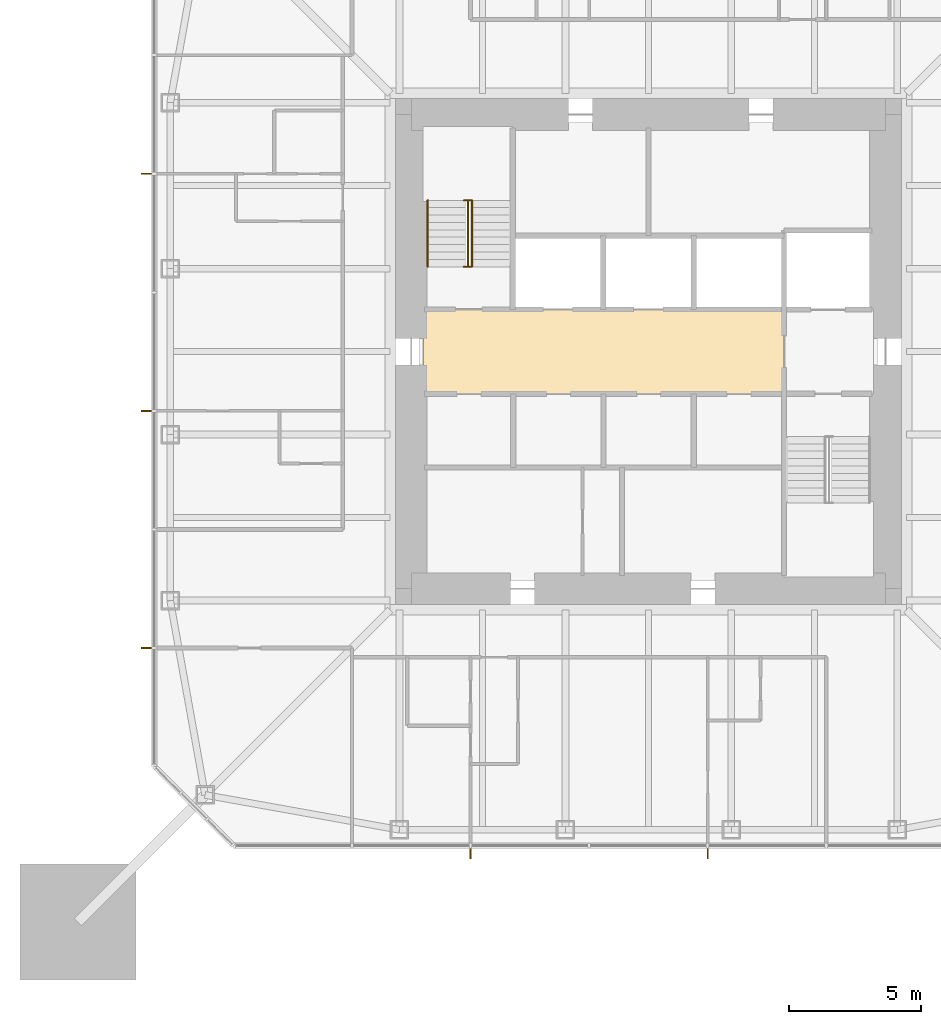
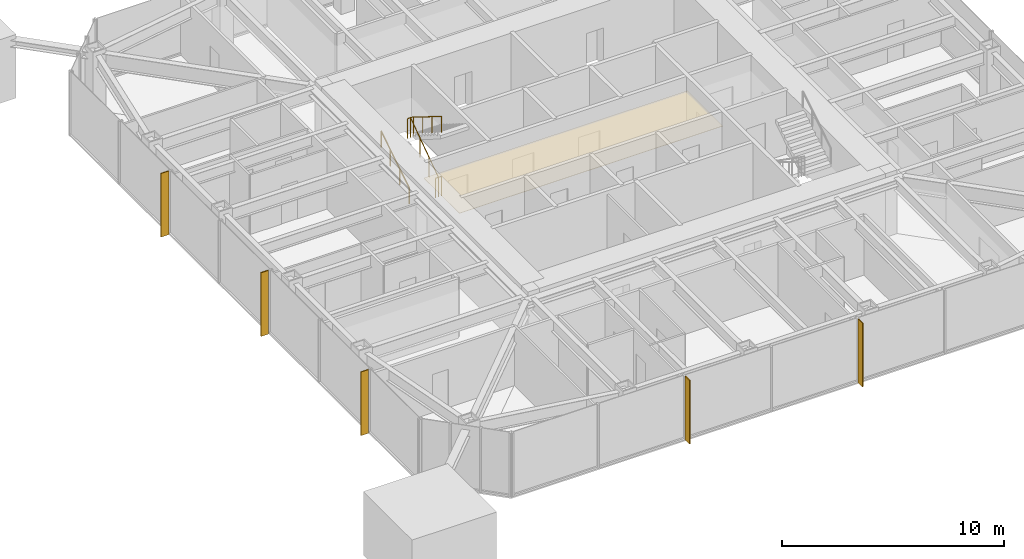
# One storey, part 9 of 11: 5 shading devices, 3 railings, 1 covering.
"""IFC4 building model written with IfcOpenShell, lengths in metres."""

from ifc_helpers import new_model, si_unit, direction, frame, origin, origin_2d, place, context, subcontext, project, spatial, polyline, rectangle, circle, outline, extrude, material, layer, layer_set, constituent, constituent_set, type_object, element, save


model = new_model("IFC4")

# Units and contexts
model_context = context("Model", 3, precision=1e-05, world=origin(), true_north=direction((0.0, 1.0)))
body_context = subcontext(model_context, "Body", "Model", "MODEL_VIEW")
ifc_project = project(units=[si_unit("LENGTHUNIT", "METRE"), si_unit("AREAUNIT", "SQUARE_METRE"), si_unit("VOLUMEUNIT", "CUBIC_METRE"), si_unit("PLANEANGLEUNIT", "RADIAN"), si_unit("MASSUNIT", "GRAM", prefix="KILO")], contexts=[model_context])

# Site, building, storey
site_placement = place(None, origin())
site = spatial("IfcSite", under=ifc_project, at=site_placement, CompositionType="ELEMENT")
building_placement = place(site_placement, origin())
building = spatial("IfcBuilding", under=site, at=building_placement, Name="Iwan Alto Co-Living Towers", CompositionType="ELEMENT")
storey_placement = place(building_placement, frame((0.0, 0.0, 177.5)))
storey = spatial("IfcBuildingStorey", under=building, at=storey_placement, Name="L48", CompositionType="ELEMENT", Elevation=177.5)

# Covering
ifc_material_1 = material(Name="Mineral fibre acoustic tiles on steel grid", Category="steel")
ifc_layer_1 = layer(ifc_material_1, 0.02001953125)
ifc_layer_set_1 = layer_set([ifc_layer_1], Name="ACOUSTIC TILE CEILING 20")
covering_type = type_object("IfcCoveringType", Name="ACOUSTIC TILE CEILING 20", PredefinedType="CEILING", material=ifc_layer_set_1)
covering_placement = place(storey_placement, frame((0.0, 0.0, 2.60009765625)))
element("IfcCovering", 1, at=covering_placement, inside=storey, type_object=covering_type, Name="Ceiling Lift lobby L48", PredefinedType="CEILING", context=body_context, shape_type="SweptSolid", body=[
    extrude(outline(polyline([(-8.550048828125, -1.60009765625), (-8.550048828125, 1.60009765625), (5.14990234375, 1.60009765625), (5.14990234375, -1.60009765625), (-8.550048828125, -1.60009765625)])), origin(), (0.0, 0.0, 1.0), 0.02001953125),
])

# Shading devices
ifc_material_2 = material(Name="Aluminium 6063-T6 bronze anodised", Category="aluminium")
ifc_layer_2 = layer(ifc_material_2, 0.050048828125)
ifc_layer_set_2 = layer_set([ifc_layer_2], Name="BRONZE FIN 50X400")
shading_device_type = type_object("IfcShadingDeviceType", Name="BRONZE FIN 50X400", PredefinedType="USERDEFINED", material=ifc_layer_set_2)
for number, where, z_axis, x_axis, name in (
    (2, (-6.75, -19.050048828125, 0.0), (0.0, 0.0, 1.0), (1.0, 0.0, 0.0), "Bronze fin L48"),
    (3, (2.25, -19.050048828125, 0.0), (0.0, 0.0, 1.0), (1.0, 0.0, 0.0), "Bronze fin L48"),
    (4, (-19.050048828125, 6.75, 0.0), (0.0, 0.0, 1.0), (0.0, -1.0, 0.0), "Bronze fin L48"),
    (5, (-19.050048828125, -2.25, 0.0), (0.0, 0.0, 1.0), (0.0, -1.0, 0.0), "Bronze fin L48"),
    (6, (-19.050048828125, -11.25, 0.0), (0.0, 0.0, 1.0), (0.0, -1.0, 0.0), "Bronze fin L48"),
):
    element("IfcShadingDevice", number, at=place(storey_placement, frame(where, z_axis=z_axis, x_axis=x_axis)), inside=storey, type_object=shading_device_type, Name=name, ObjectType="LOUVER", PredefinedType="USERDEFINED", context=body_context, shape_type="SweptSolid", body=[
        extrude(rectangle(XDim=0.050048828125, YDim=0.39990234375, at=origin_2d()), origin(), (0.0, 0.0, 1.0), 3.5),
    ])

# Railings
ifc_material_3 = material(Name="Steel ASTM A500 Gr C", Category="steel")
ifc_constituent_1 = constituent(ifc_material_3, Name="Rails and posts", Category="Framing")
ifc_material_4 = material(Name="Steel ASTM A36", Category="steel")
ifc_constituent_2 = constituent(ifc_material_4, Name="Bar infill", Category="Infill")
ifc_constituent_set = constituent_set(constituents=[ifc_constituent_1, ifc_constituent_2], Name="STAIR GUARD 1100")
railing_type_1 = type_object("IfcRailingType", Name="STAIR GUARD 1100", PredefinedType="GUARDRAIL", material=ifc_constituent_set)
railing_1_placement = place(storey_placement, frame((-6.85009765625, 3.219970703125, 0.0)))
element("IfcRailing", 7, at=railing_1_placement, inside=storey, type_object=railing_type_1, Name="Stair T1-S1 well guard L48", PredefinedType="GUARDRAIL", context=body_context, shape_type="SweptSolid", body=[
    extrude(circle(Radius=0.02392578125, at=origin_2d()), frame((0.0, 0.0, 1.076171875), z_axis=(0.0, 0.821372036852, 0.570392826987), x_axis=(-1.0, 0.0, 0.0)), (0.0, 0.0, 1.0), 3.068115234375),
    extrude(circle(Radius=0.02392578125, at=origin_2d()), frame((-0.14990234375, 0.0, 1.076171875), z_axis=(1.0, 0.0, 0.0), x_axis=(0.0, 1.0, 0.0)), (0.0, 0.0, 1.0), 0.300048828125),
    extrude(circle(Radius=0.02392578125, at=origin_2d()), frame((-0.14990234375, 2.52001953125, 2.826171875), z_axis=(1.0, 0.0, 0.0), x_axis=(0.0, 1.0, 0.0)), (0.0, 0.0, 1.0), 0.300048828125),
    extrude(circle(Radius=0.02099609375, at=origin_2d()), origin(), (0.0, 0.0, 1.0), 1.052001953125),
    extrude(circle(Radius=0.02099609375, at=origin_2d()), frame((0.0, 0.840087890625, 0.583251953125)), (0.0, 0.0, 1.0), 1.052001953125),
    extrude(circle(Radius=0.02099609375, at=origin_2d()), frame((0.0, 1.679931640625, 1.166748046875)), (0.0, 0.0, 1.0), 1.052001953125),
    extrude(circle(Radius=0.02099609375, at=origin_2d()), frame((0.0, 2.52001953125, 1.75)), (0.0, 0.0, 1.0), 1.052001953125),
    extrude(circle(Radius=0.02099609375, at=origin_2d()), frame((-0.14990234375, 0.0, 0.0)), (0.0, 0.0, 1.0), 1.052001953125),
    extrude(circle(Radius=0.02099609375, at=origin_2d()), frame((0.150146484375, 0.0, 0.0)), (0.0, 0.0, 1.0), 1.052001953125),
    extrude(circle(Radius=0.02099609375, at=origin_2d()), frame((-0.14990234375, 2.52001953125, 1.75)), (0.0, 0.0, 1.0), 1.052001953125),
    extrude(circle(Radius=0.02099609375, at=origin_2d()), frame((0.150146484375, 2.52001953125, 1.75)), (0.0, 0.0, 1.0), 1.052001953125),
])
ifc_material_5 = material(Name="Steel ASTM A500 Gr C", Category="steel")
railing_type_2 = type_object("IfcRailingType", Name="STAIR HANDRAIL 900", PredefinedType="HANDRAIL", material=ifc_material_5)
railing_2_placement = place(storey_placement, frame((-8.3798828125, 3.219970703125, 0.175048828125)))
element("IfcRailing", 8, at=railing_2_placement, inside=storey, type_object=railing_type_2, Name="Stair T1-S1 handrail 1 L48", PredefinedType="HANDRAIL", context=body_context, shape_type="SweptSolid", body=[
    extrude(circle(Radius=0.02392578125, at=origin_2d()), frame((0.0, 0.0, 0.8759765625), z_axis=(0.0, 0.848007534815, 0.529984170421), x_axis=(-1.0, 0.0, 0.0)), (0.0, 0.0, 1.0), 2.9716796875),
    extrude(circle(Radius=0.02099609375, at=origin_2d()), origin(), (0.0, 0.0, 1.0), 0.851806640625),
    extrude(circle(Radius=0.02099609375, at=origin_2d()), frame((0.0, 0.840087890625, 0.52490234375)), (0.0, 0.0, 1.0), 0.851806640625),
    extrude(circle(Radius=0.02099609375, at=origin_2d()), frame((0.0, 1.679931640625, 1.050048828125)), (0.0, 0.0, 1.0), 0.851806640625),
    extrude(circle(Radius=0.02099609375, at=origin_2d()), frame((0.0, 2.52001953125, 1.574951171875)), (0.0, 0.0, 1.0), 0.851806640625),
])
railing_3_placement = place(storey_placement, frame((-6.699951171875, 5.739990234375, 1.925048828125)))
element("IfcRailing", 9, at=railing_3_placement, inside=storey, type_object=railing_type_2, Name="Stair T1-S1 handrail 2 L48", PredefinedType="HANDRAIL", context=body_context, shape_type="SweptSolid", body=[
    extrude(circle(Radius=0.02392578125, at=origin_2d()), frame((0.0, 0.0, 0.8759765625), z_axis=(0.0, -0.848007534815, 0.529984170421), x_axis=(1.0, 0.0, 0.0)), (0.0, 0.0, 1.0), 2.9716796875),
    extrude(circle(Radius=0.02099609375, at=origin_2d()), origin(), (0.0, 0.0, 1.0), 0.851806640625),
    extrude(circle(Radius=0.02099609375, at=origin_2d()), frame((0.0, -0.840087890625, 0.52490234375)), (0.0, 0.0, 1.0), 0.851806640625),
    extrude(circle(Radius=0.02099609375, at=origin_2d()), frame((0.0, -1.679931640625, 1.050048828125)), (0.0, 0.0, 1.0), 0.851806640625),
    extrude(circle(Radius=0.02099609375, at=origin_2d()), frame((0.0, -2.52001953125, 1.574951171875)), (0.0, 0.0, 1.0), 0.851806640625),
])

save(model, "model.ifc")
